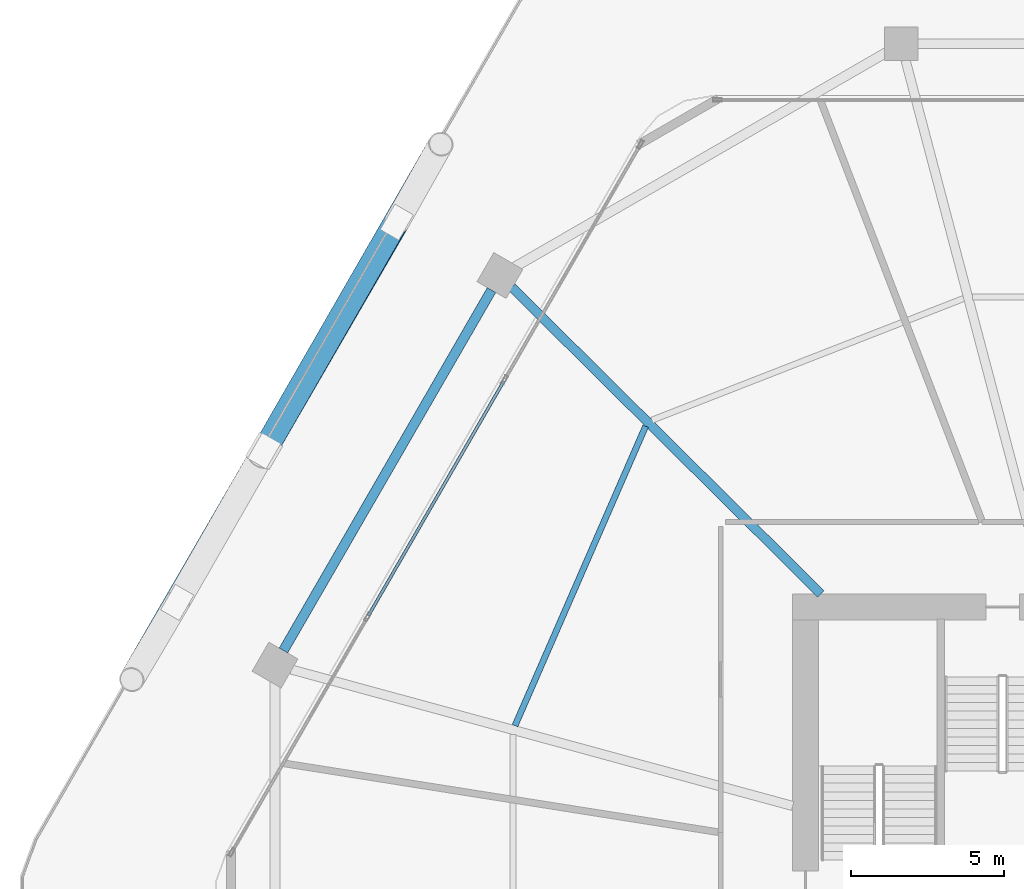
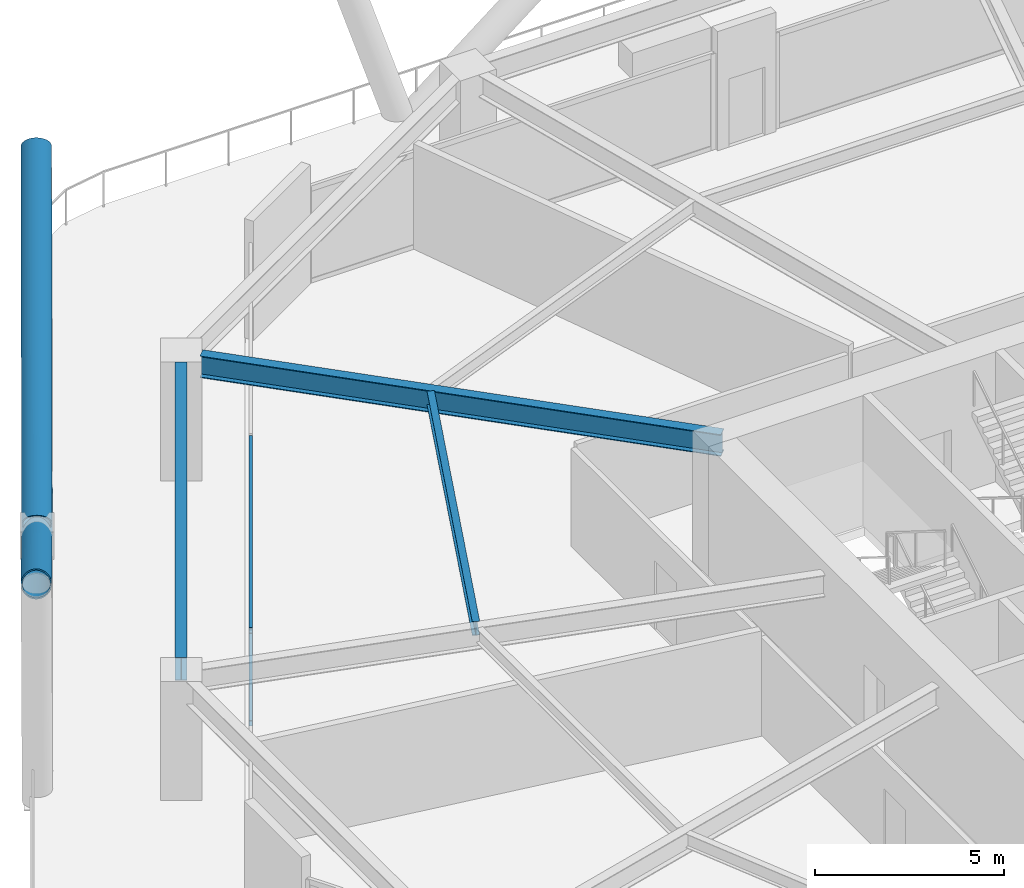
# One storey, part 13 of 28: 4 members, 3 beams, 1 element without a shape of its own.
"""IFC4 building model written with IfcOpenShell, lengths in metres."""

from ifc_helpers import new_model, si_unit, direction, frame, origin, origin_2d, place, context, subcontext, project, spatial, hollow_rectangle, hollow_circle, i_section, extrude, material, material_profile, profile_set, type_object, element, aggregate, save


model = new_model("IFC4")

# Units and contexts
model_context = context("Model", 3, precision=1e-05, world=origin(), true_north=direction((0.0, 1.0)))
body_context = subcontext(model_context, "Body", "Model", "MODEL_VIEW")
ifc_project = project(units=[si_unit("LENGTHUNIT", "METRE"), si_unit("AREAUNIT", "SQUARE_METRE"), si_unit("VOLUMEUNIT", "CUBIC_METRE"), si_unit("PLANEANGLEUNIT", "RADIAN"), si_unit("MASSUNIT", "GRAM", prefix="KILO")], contexts=[model_context])

# Site, building, storey
site_placement = place(None, origin())
site = spatial("IfcSite", under=ifc_project, at=site_placement, CompositionType="ELEMENT")
building_placement = place(site_placement, origin())
building = spatial("IfcBuilding", under=site, at=building_placement, Name="Zuhravey Tower", CompositionType="ELEMENT")
storey_placement = place(building_placement, frame((0.0, 0.0, 83.39990234375)))
storey = spatial("IfcBuildingStorey", under=building, at=storey_placement, Name="L20", CompositionType="ELEMENT", Elevation=83.39990234375)

# Members
ifc_material_1 = material(Name="Steel SM460", Category="steel")
ifc_material_profile_1 = material_profile(ifc_material_1, hollow_circle(Radius=0.406494140625, WallThickness=0.035888671875, at=origin_2d()), Name="CHS-812.8x36")
ifc_profile_set_1 = profile_set([ifc_material_profile_1], Name="Steel SM460")
member_type_1 = type_object("IfcMemberType", Name="Exoskeleton Zone 1 Diagrid CHS813x36", PredefinedType="BRACE", material=ifc_profile_set_1)
member_1_placement = place(storey_placement, frame((12.080810546875, 54.06787109375, -0.471923828125), z_axis=(-0.44474284338, -0.767258612771, 0.462080106032), x_axis=(0.865161899029, -0.501492660433, 0.0)))
element("IfcMember", 1, at=member_1_placement, inside=storey, type_object=member_type_1, Name="L20 Face 3 Diagrid Brace 2", PredefinedType="BRACE", context=body_context, shape_type="SweptSolid", body=[
    extrude(hollow_circle(Radius=0.406494140625, WallThickness=0.035888671875, at=origin_2d()), origin(), (0.0, 0.0, 1.0), 19.447021484375),
])
member_2_placement = place(storey_placement, frame((7.940673828125, 46.927734375, 4.164794921875), z_axis=(0.464936028876, 0.8077333589, 0.362493186105), x_axis=(-0.866679320846, 0.49886566811, 0.0)))
element("IfcMember", 2, at=member_2_placement, inside=storey, type_object=member_type_1, Name="L20 Face 3 Split Diagrid Brace 3B", PredefinedType="BRACE", context=body_context, shape_type="SweptSolid", body=[
    extrude(hollow_circle(Radius=0.406494140625, WallThickness=0.035888671875, at=origin_2d()), origin(), (0.0, 0.0, 1.0), 12.01123046875),
])

# Beams
ifc_material_2 = material(Name="Steel SM355", Category="steel")
ifc_material_profile_2 = material_profile(ifc_material_2, i_section(OverallWidth=0.320068359375, OverallDepth=0.75, WebThickness=0.013916015625, FlangeThickness=0.02490234375, at=origin_2d()), Name="H-750x320x14x25")
ifc_profile_set_2 = profile_set([ifc_material_profile_2], Name="Steel SM355")
beam_type_1 = type_object("IfcBeamType", Name="Perimeter Ring Beam H750x320", PredefinedType="BEAM", material=ifc_profile_set_2)
beam_1_placement = place(storey_placement, frame((15.20458984375, 51.8779296875, 3.47509765625), z_axis=(-0.500008177929, -0.866020682204, 0.0), x_axis=(0.866020682204, -0.500008177929, 0.0)))
element("IfcBeam", 3, at=beam_1_placement, inside=storey, type_object=beam_type_1, Name="L20 PB1 BM-L20-PB-05", PredefinedType="BEAM", context=body_context, shape_type="SweptSolid", body=[
    extrude(i_section(OverallWidth=0.320068359375, OverallDepth=0.75, WebThickness=0.013916015625, FlangeThickness=0.02490234375, at=origin_2d()), origin(), (0.0, 0.0, 1.0), 13.634033203125),
])
ifc_material_profile_3 = material_profile(ifc_material_2, i_section(OverallWidth=0.300048828125, OverallDepth=0.699951171875, WebThickness=0.012939453125, FlangeThickness=0.02392578125, at=origin_2d()), Name="H-700x300x13x24")
ifc_profile_set_3 = profile_set([ifc_material_profile_3], Name="Steel SM355")
beam_type_2 = type_object("IfcBeamType", Name="Radial Primary Girder H700x300", PredefinedType="BEAM", material=ifc_profile_set_3)
beam_2_placement = place(storey_placement, frame((25.992919921875, 41.927978515625, 3.5), z_axis=(-0.709901518563, 0.704300954097, 0.0), x_axis=(-0.704300954097, -0.709901518563, 0.0)))
element("IfcBeam", 4, at=beam_2_placement, inside=storey, type_object=beam_type_2, Name="L20 RG1 BM-L20-RAD-05", PredefinedType="BEAM", context=body_context, shape_type="SweptSolid", body=[
    extrude(i_section(OverallWidth=0.300048828125, OverallDepth=0.699951171875, WebThickness=0.012939453125, FlangeThickness=0.02392578125, at=origin_2d()), origin(), (0.0, 0.0, 1.0), 14.254638671875),
])
ifc_material_profile_4 = material_profile(ifc_material_2, i_section(OverallWidth=0.199951171875, OverallDepth=0.449951171875, WebThickness=0.009033203125, FlangeThickness=0.013916015625, at=origin_2d()), Name="H-450x200x9x14")
ifc_profile_set_4 = profile_set([ifc_material_profile_4], Name="Steel SM355")
beam_type_3 = type_object("IfcBeamType", Name="Secondary Floor Joist H450x200", PredefinedType="JOIST", material=ifc_profile_set_4)
beam_3_placement = place(storey_placement, frame((20.2548828125, 47.41845703125, 3.625), z_axis=(-0.399923551578, -0.916548500022, 0.0), x_axis=(0.916548500022, -0.399923551578, 0.0)))
element("IfcBeam", 5, at=beam_3_placement, inside=storey, type_object=beam_type_3, Name="L20 SJ1 BM-L20-SJ-05-1", PredefinedType="JOIST", context=body_context, shape_type="SweptSolid", body=[
    extrude(i_section(OverallWidth=0.199951171875, OverallDepth=0.449951171875, WebThickness=0.009033203125, FlangeThickness=0.013916015625, at=origin_2d()), origin(), (0.0, 0.0, 1.0), 10.70263671875),
])

# Curtain wall, members
ifc_material_3 = material(Name="Thermally broken anodised aluminium", Category="aluminium")
curtain_wall_type = type_object("IfcCurtainWallType", Name="Sky-Playground Recessed Curtain Wall CW2", PredefinedType="NOTDEFINED", material=ifc_material_3)
curtain_wall_placement = place(storey_placement, origin())
curtain_wall = element("IfcCurtainWall", 6, at=curtain_wall_placement, inside=storey, type_object=curtain_wall_type, Name="L20 CW2 CW-L20-F3-1", PredefinedType="NOTDEFINED")
ifc_material_4 = material(Name="Anodised aluminium", Category="aluminium")
ifc_material_profile_5 = material_profile(ifc_material_4, hollow_rectangle(XDim=0.10009765625, YDim=0.179931640625, WallThickness=0.006103515625, at=origin_2d()), Name="ALU-RHS-100x180x6")
ifc_profile_set_5 = profile_set([ifc_material_profile_5], Name="Anodised aluminium")
member_type_2 = type_object("IfcMemberType", Name="Tall-Storey Transom 100x180", PredefinedType="USERDEFINED", material=ifc_profile_set_5)
member_3_placement = place(storey_placement, frame((11.174072265625, 41.217041015625, 0.050048828125), z_axis=(0.499999881977, 0.866025471925, 0.0), x_axis=(-0.866025471925, 0.499999881977, 0.0)))
member_3 = element("IfcMember", 7, at=member_3_placement, type_object=member_type_2, Name="CW2 transom 2.1", ObjectType="TRANSOM", PredefinedType="USERDEFINED", context=body_context, shape_type="SweptSolid", body=[
    extrude(hollow_rectangle(XDim=0.10009765625, YDim=0.179931640625, WallThickness=0.006103515625, at=origin_2d()), origin(), (0.0, 0.0, 1.0), 8.86181640625),
])
member_4_placement = place(storey_placement, frame((11.174072265625, 41.217041015625, 3.050048828125), z_axis=(0.499999881977, 0.866025471925, 0.0), x_axis=(-0.866025471925, 0.499999881977, 0.0)))
member_4 = element("IfcMember", 8, at=member_4_placement, type_object=member_type_2, Name="CW2 transom 2.2", ObjectType="TRANSOM", PredefinedType="USERDEFINED", context=body_context, shape_type="SweptSolid", body=[
    extrude(hollow_rectangle(XDim=0.10009765625, YDim=0.179931640625, WallThickness=0.006103515625, at=origin_2d()), origin(), (0.0, 0.0, 1.0), 8.86181640625),
])
aggregate(curtain_wall, [member_3, member_4])

save(model, "model.ifc")
